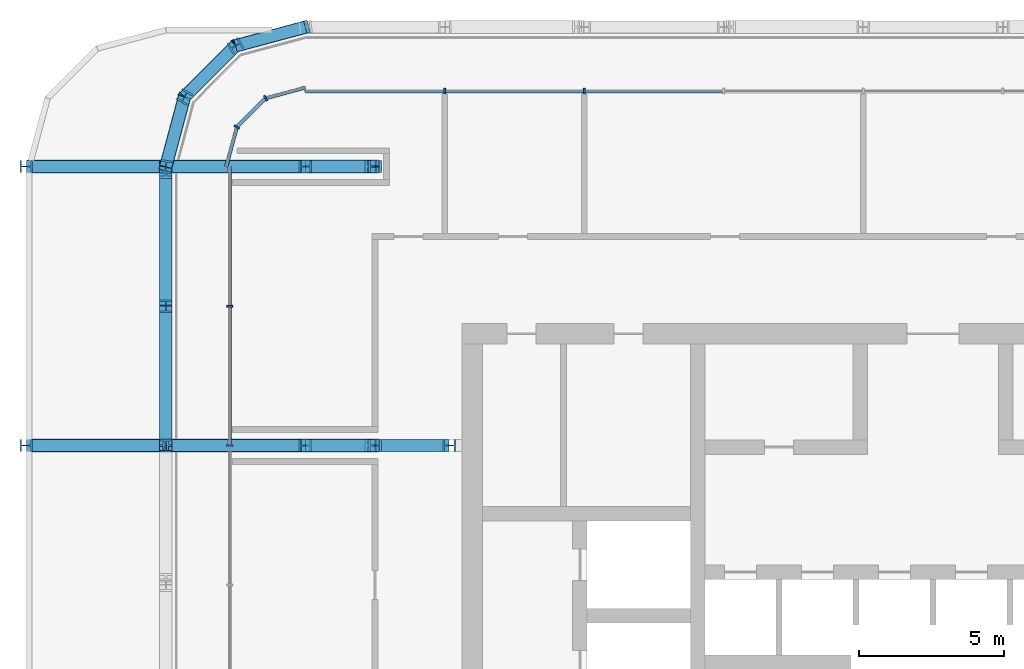
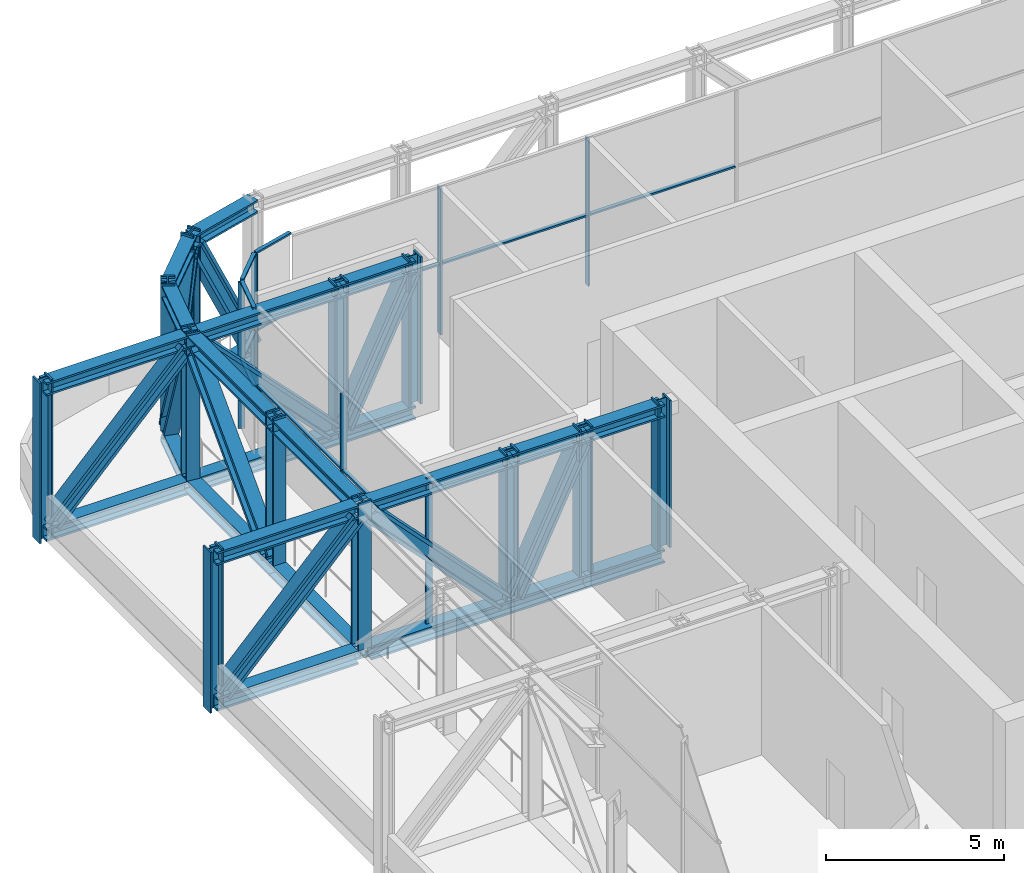
# One storey, part 12 of 30: 63 members, 3 elements without a shape of their own.
"""IFC4 building model written with IfcOpenShell, lengths in metres."""

import ifcopenshell
import ifcopenshell.guid

model = None  # the IFC model being written
_history = None  # IfcOwnerHistory: only IFC2X3 demands one
_inside = {}  # id of a spatial element -> (the spatial element, [elements in it])
_under = {}  # id of a project, library or spatial element -> (it, [spatial elements below it])
_declared = {}  # id of a project -> (the project, [libraries it declares])
_typed = {}  # id of a type object -> (the type object, [elements of that type])
_made_of = {}  # id of a material, layer set ... -> (it, [elements and type objects made of it])


def new_model(schema):
    """Start an empty IFC model of exactly this schema.

    Asked for "IFC4X3", IfcOpenShell would pick the latest addendum, in which some entities
    have other attributes; the version numbers below select the first issue.
    IFC2X3 requires an IfcOwnerHistory on every rooted entity: one is made here for all.
    """
    global model, _history
    if schema == "IFC4X3":
        model = ifcopenshell.file(schema_version=(4, 3, 0, 0))
    else:
        model = ifcopenshell.file(schema=schema)
    _inside.clear()
    _under.clear()
    _declared.clear()
    _typed.clear()
    _made_of.clear()
    _history = None
    if model.schema == "IFC2X3":
        org = make("IfcOrganization", Name="unknown")
        user = make(
            "IfcPersonAndOrganization",
            ThePerson=make("IfcPerson", FamilyName="unknown"),
            TheOrganization=org,
        )
        app = make(
            "IfcApplication",
            ApplicationDeveloper=org,
            Version="unknown",
            ApplicationFullName="unknown",
            ApplicationIdentifier="unknown",
        )
        _history = make(
            "IfcOwnerHistory",
            OwningUser=user,
            OwningApplication=app,
            ChangeAction="ADDED",
            CreationDate=0,
        )
    return model


def make(cls, **values):
    """One entity of the class cls with the attributes given. An attribute that is None is left unset."""
    return model.create_entity(
        cls, **{name: value for name, value in values.items() if value is not None}
    )


def rooted(cls, **values):
    """An entity with a GlobalId (a new one), such as an element, a storey or a relation."""
    return make(cls, GlobalId=ifcopenshell.guid.new(), OwnerHistory=_history, **values)


def si_unit(unit_type, name, prefix=None):
    """IfcSIUnit, for example si_unit("LENGTHUNIT", "METRE", prefix="MILLI")."""
    return make("IfcSIUnit", UnitType=unit_type, Prefix=prefix, Name=name)


def assignment(units):
    """IfcUnitAssignment: the units of a project."""
    return None if units is None else make("IfcUnitAssignment", Units=units)


def point(xyz):
    """IfcCartesianPoint."""
    return None if xyz is None else make("IfcCartesianPoint", Coordinates=xyz)


def direction(xyz):
    """IfcDirection."""
    return None if xyz is None else make("IfcDirection", DirectionRatios=xyz)


def frame(location, z_axis=None, x_axis=None):
    """IfcAxis2Placement3D, a coordinate frame: its origin and axes. An axis left out is left unset."""
    return make(
        "IfcAxis2Placement3D",
        Location=point(location),
        Axis=direction(z_axis),
        RefDirection=direction(x_axis),
    )


def frame_2d(location, x_axis=None):
    """IfcAxis2Placement2D, a coordinate frame in the plane: its origin and x axis."""
    return make(
        "IfcAxis2Placement2D", Location=point(location), RefDirection=direction(x_axis)
    )


def origin():
    """The frame at (0, 0, 0) with its axes left unset."""
    return frame((0.0, 0.0, 0.0))


def origin_2d():
    """The frame at (0, 0) in the plane with its x axis left unset."""
    return frame_2d((0.0, 0.0))


def place(relative_to, where):
    """IfcLocalPlacement: puts the frame where relative to a parent placement (None: the world)."""
    return make(
        "IfcLocalPlacement", PlacementRelTo=relative_to, RelativePlacement=where
    )


def context(
    kind, dimensions, precision=None, world=None, true_north=None, identifier=None
):
    """IfcGeometricRepresentationContext, for example the 3D "Model" context."""
    return make(
        "IfcGeometricRepresentationContext",
        ContextIdentifier=identifier,
        ContextType=kind,
        CoordinateSpaceDimension=dimensions,
        Precision=precision,
        WorldCoordinateSystem=world,
        TrueNorth=true_north,
    )


def subcontext(parent, identifier, kind, view, scale=None):
    """IfcGeometricRepresentationSubContext, for example "Body" below "Model"."""
    return make(
        "IfcGeometricRepresentationSubContext",
        ContextIdentifier=identifier,
        ContextType=kind,
        ParentContext=parent,
        TargetScale=scale,
        TargetView=view,
    )


def project(units=None, contexts=None):
    """IfcProject with its units and contexts."""
    return rooted(
        "IfcProject",
        Name="project",
        RepresentationContexts=contexts,
        UnitsInContext=assignment(units),
    )


def spatial(cls, under=None, at=None, **own):
    """A site, building, storey or space (cls), placed at a placement, below another one or the project."""
    s = rooted(cls, ObjectPlacement=at, **own)
    if under is not None:
        _under.setdefault(under.id(), (under, []))[1].append(s)
    return s


def profile(cls, at=None, kind="AREA", **sizes):
    """A parametric profile (cls). Its sizes go by their IFC names, for example OverallWidth=200.0."""
    return make(cls, ProfileType=kind, Position=at, **sizes)


def rectangle(**sizes):
    """IfcRectangleProfileDef."""
    return profile("IfcRectangleProfileDef", **sizes)


def i_section(**sizes):
    """IfcIShapeProfileDef."""
    return profile("IfcIShapeProfileDef", **sizes)


def extrude(swept, where, along, depth):
    """IfcExtrudedAreaSolid: the profile swept, set in the frame where, extruded along a direction by depth."""
    return make(
        "IfcExtrudedAreaSolid",
        SweptArea=swept,
        Position=where,
        ExtrudedDirection=direction(along),
        Depth=depth,
    )


def shape(context_of_items, identifier, shape_type, items):
    """IfcShapeRepresentation: the items that make up one representation, for example the "Body"."""
    return make(
        "IfcShapeRepresentation",
        ContextOfItems=context_of_items,
        RepresentationIdentifier=identifier,
        RepresentationType=shape_type,
        Items=items,
    )


def material(Name=None, Category=None):
    """IfcMaterial."""
    return make("IfcMaterial", Name=Name, Category=Category)


def layer(
    of_material, thickness, ventilated=None, Name=None, Category=None, Priority=None
):
    """IfcMaterialLayer: one layer of a wall or slab, of a material (None: an air gap)."""
    return make(
        "IfcMaterialLayer",
        Material=of_material,
        LayerThickness=thickness,
        IsVentilated=ventilated,
        Name=Name,
        Category=Category,
        Priority=Priority,
    )


def layer_set(layers, Name=None):
    """IfcMaterialLayerSet."""
    return make("IfcMaterialLayerSet", MaterialLayers=layers, LayerSetName=Name)


def material_profile(
    of_material, cross_section, Name=None, Category=None, Priority=None
):
    """IfcMaterialProfile: a cross section and its material."""
    return make(
        "IfcMaterialProfile",
        Name=Name,
        Material=of_material,
        Profile=cross_section,
        Priority=Priority,
        Category=Category,
    )


def profile_set(profiles, Name=None, composite=None):
    """IfcMaterialProfileSet."""
    return make(
        "IfcMaterialProfileSet",
        Name=Name,
        MaterialProfiles=profiles,
        CompositeProfile=composite,
    )


def made_of(thing, what):
    """Note that an element or type object is made of a material, layer set ...; save() writes the relation."""
    if what is not None:
        _made_of.setdefault(what.id(), (what, []))[1].append(thing)
    return thing


def type_object(cls, material=None, **own):
    """A type object (cls), such as IfcWallType, which elements share."""
    return made_of(rooted(cls, **own), material)


def element(
    cls,
    number,
    at=None,
    inside=None,
    cuts=None,
    type_object=None,
    material=None,
    context=None,
    identifier="Body",
    shape_type=None,
    held_by="IfcProductDefinitionShape",
    body=None,
    shapes=None,
    **own,
):
    """One element of the class cls, such as IfcWall. Its Tag is "e" and its number.

    at: its placement. inside: the storey or other place that contains it. cuts: it is an
    opening in that element (IfcRelVoidsElement). A single representation is given by context,
    identifier, shape_type and body (its items); several are given by shapes. held_by: the class
    of the entity that holds the representations. save() writes the other relations.
    """
    e = rooted(cls, Tag="e%d" % number, ObjectPlacement=at, **own)
    if body is not None:
        shapes = [shape(context, identifier, shape_type, body)]
    if shapes is not None:
        e.Representation = make(held_by, Representations=shapes)
    if inside is not None:
        _inside.setdefault(inside.id(), (inside, []))[1].append(e)
    if cuts is not None:
        rooted(
            "IfcRelVoidsElement", RelatingBuildingElement=cuts, RelatedOpeningElement=e
        )
    if type_object is not None:
        _typed.setdefault(type_object.id(), (type_object, []))[1].append(e)
    return made_of(e, material)


def aggregate(whole, parts):
    """IfcRelAggregates: a whole, such as a stair, and the parts it consists of."""
    return rooted("IfcRelAggregates", RelatingObject=whole, RelatedObjects=parts)


def save(model, path):
    """Write the relations noted so far, then the file.

    IfcRelAggregates (storeys below a building ...), IfcRelContainedInSpatialStructure (elements
    in a storey), IfcRelDefinesByType, IfcRelAssociatesMaterial and IfcRelDeclares: one each for
    every whole, place, type object, material and project.
    """
    for whole, parts in _under.values():
        aggregate(whole, parts)
    for where, things in _inside.values():
        rooted(
            "IfcRelContainedInSpatialStructure",
            RelatedElements=things,
            RelatingStructure=where,
        )
    for kind, things in _typed.values():
        rooted("IfcRelDefinesByType", RelatedObjects=things, RelatingType=kind)
    for what, things in _made_of.values():
        rooted("IfcRelAssociatesMaterial", RelatedObjects=things, RelatingMaterial=what)
    for by, libraries in _declared.values():
        rooted("IfcRelDeclares", RelatingContext=by, RelatedDefinitions=libraries)
    model.write(path)


model = new_model("IFC4")

# Units and contexts
model_context = context("Model", 3, precision=1e-05, world=origin(), true_north=direction((0.0, 1.0)))
body_context = subcontext(model_context, "Body", "Model", "MODEL_VIEW")
ifc_project = project(units=[si_unit("LENGTHUNIT", "METRE"), si_unit("AREAUNIT", "SQUARE_METRE"), si_unit("VOLUMEUNIT", "CUBIC_METRE"), si_unit("PLANEANGLEUNIT", "RADIAN"), si_unit("MASSUNIT", "GRAM", prefix="KILO")], contexts=[model_context])

# Site, building, storey
site_placement = place(None, origin())
site = spatial("IfcSite", under=ifc_project, at=site_placement, CompositionType="ELEMENT")
building_placement = place(site_placement, origin())
building = spatial("IfcBuilding", under=site, at=building_placement, Name="Madar Terraces", CompositionType="ELEMENT")
storey_placement = place(building_placement, frame((0.0, 0.0, 173.5)))
storey = spatial("IfcBuildingStorey", under=building, at=storey_placement, Name="L45", CompositionType="ELEMENT", Elevation=173.5)

# Members
ifc_material_1 = material(Name="Steel ASTM A913 Grade 65", Category="steel")
ifc_material_profile_1 = material_profile(ifc_material_1, i_section(OverallWidth=0.421630859375, OverallDepth=0.46484375, WebThickness=0.044921875, FlangeThickness=0.072509765625, at=origin_2d()), Name="W14x398")
ifc_profile_set_1 = profile_set([ifc_material_profile_1], Name="Steel ASTM A913 Grade 65")
member_type_1 = type_object("IfcMemberType", Name="BC6 W14x398", PredefinedType="CHORD", material=ifc_profile_set_1)
member_1_placement = place(storey_placement, frame((9.60009765625, 48.0, -0.1875), z_axis=(-0.965930947833, -0.258799930484, 0.0), x_axis=(0.258799930484, -0.965930947833, 0.0)))
element("IfcMember", 1, at=member_1_placement, inside=storey, type_object=member_type_1, Name="Exoskeleton truss ring bottom chord BC6", PredefinedType="CHORD", context=body_context, shape_type="SweptSolid", body=[
    extrude(i_section(OverallWidth=0.421630859375, OverallDepth=0.46484375, WebThickness=0.044921875, FlangeThickness=0.072509765625, at=origin_2d()), origin(), (0.0, 0.0, 1.0), 2.48486328125),
])
member_2_placement = place(storey_placement, frame((7.199951171875, 47.35693359375, -0.1875), z_axis=(-0.707106781187, -0.707106781187, 0.0), x_axis=(0.707106781187, -0.707106781187, 0.0)))
element("IfcMember", 2, at=member_2_placement, inside=storey, type_object=member_type_1, Name="Exoskeleton truss ring bottom chord BC6", PredefinedType="CHORD", context=body_context, shape_type="SweptSolid", body=[
    extrude(i_section(OverallWidth=0.421630859375, OverallDepth=0.46484375, WebThickness=0.044921875, FlangeThickness=0.072509765625, at=origin_2d()), origin(), (0.0, 0.0, 1.0), 2.484619140625),
])
member_3_placement = place(storey_placement, frame((5.443115234375, 45.60009765625, -0.1875), z_axis=(-0.258799930484, -0.965930947833, 0.0), x_axis=(0.965930947833, -0.258799930484, 0.0)))
element("IfcMember", 3, at=member_3_placement, inside=storey, type_object=member_type_1, Name="Exoskeleton truss ring bottom chord BC6", PredefinedType="CHORD", context=body_context, shape_type="SweptSolid", body=[
    extrude(i_section(OverallWidth=0.421630859375, OverallDepth=0.46484375, WebThickness=0.044921875, FlangeThickness=0.072509765625, at=origin_2d()), origin(), (0.0, 0.0, 1.0), 2.48486328125),
])
member_4_placement = place(storey_placement, frame((4.800048828125, 43.199951171875, -0.1875), z_axis=(0.0, -1.0, 0.0), x_axis=(1.0, 0.0, 0.0)))
element("IfcMember", 4, at=member_4_placement, inside=storey, type_object=member_type_1, Name="Exoskeleton truss ring bottom chord BC6", PredefinedType="CHORD", context=body_context, shape_type="SweptSolid", body=[
    extrude(i_section(OverallWidth=0.421630859375, OverallDepth=0.46484375, WebThickness=0.044921875, FlangeThickness=0.072509765625, at=origin_2d()), origin(), (0.0, 0.0, 1.0), 4.800048828125),
])
member_5_placement = place(storey_placement, frame((4.800048828125, 38.39990234375, -0.1875), z_axis=(0.0, -1.0, 0.0), x_axis=(1.0, 0.0, 0.0)))
element("IfcMember", 5, at=member_5_placement, inside=storey, type_object=member_type_1, Name="Exoskeleton truss ring bottom chord BC6", PredefinedType="CHORD", context=body_context, shape_type="SweptSolid", body=[
    extrude(i_section(OverallWidth=0.421630859375, OverallDepth=0.46484375, WebThickness=0.044921875, FlangeThickness=0.072509765625, at=origin_2d()), origin(), (0.0, 0.0, 1.0), 4.7998046875),
])
member_6_placement = place(storey_placement, frame((0.0, 33.60009765625, -0.1875), z_axis=(1.0, 0.0, 0.0), x_axis=(0.0, 1.0, 0.0)))
element("IfcMember", 6, at=member_6_placement, inside=storey, type_object=member_type_1, Name="Exoskeleton truss cross W33.6 bottom chord BC6", PredefinedType="CHORD", context=body_context, shape_type="SweptSolid", body=[
    extrude(i_section(OverallWidth=0.421630859375, OverallDepth=0.46484375, WebThickness=0.044921875, FlangeThickness=0.072509765625, at=origin_2d()), origin(), (0.0, 0.0, 1.0), 4.589111328125),
])
member_7_placement = place(storey_placement, frame((5.0107421875, 33.60009765625, -0.1875), z_axis=(1.0, 0.0, 0.0), x_axis=(0.0, 1.0, 0.0)))
element("IfcMember", 7, at=member_7_placement, inside=storey, type_object=member_type_1, Name="Exoskeleton truss cross W33.6 bottom chord BC6", PredefinedType="CHORD", context=body_context, shape_type="SweptSolid", body=[
    extrude(i_section(OverallWidth=0.421630859375, OverallDepth=0.46484375, WebThickness=0.044921875, FlangeThickness=0.072509765625, at=origin_2d()), origin(), (0.0, 0.0, 1.0), 4.58935546875),
])
member_8_placement = place(storey_placement, frame((9.60009765625, 33.60009765625, -0.1875), z_axis=(1.0, 0.0, 0.0), x_axis=(0.0, 1.0, 0.0)))
element("IfcMember", 8, at=member_8_placement, inside=storey, type_object=member_type_1, Name="Exoskeleton truss cross W33.6 bottom chord BC6", PredefinedType="CHORD", context=body_context, shape_type="SweptSolid", body=[
    extrude(i_section(OverallWidth=0.421630859375, OverallDepth=0.46484375, WebThickness=0.044921875, FlangeThickness=0.072509765625, at=origin_2d()), origin(), (0.0, 0.0, 1.0), 2.39990234375),
])
member_9_placement = place(storey_placement, frame((12.0, 33.60009765625, -0.1875), z_axis=(1.0, 0.0, 0.0), x_axis=(0.0, 1.0, 0.0)))
element("IfcMember", 9, at=member_9_placement, inside=storey, type_object=member_type_1, Name="Exoskeleton truss cross W33.6 bottom chord BC6", PredefinedType="CHORD", context=body_context, shape_type="SweptSolid", body=[
    extrude(i_section(OverallWidth=0.421630859375, OverallDepth=0.46484375, WebThickness=0.044921875, FlangeThickness=0.072509765625, at=origin_2d()), origin(), (0.0, 0.0, 1.0), 2.550048828125),
])
member_10_placement = place(storey_placement, frame((0.0, 43.199951171875, -0.1875), z_axis=(1.0, 0.0, 0.0), x_axis=(0.0, 1.0, 0.0)))
element("IfcMember", 10, at=member_10_placement, inside=storey, type_object=member_type_1, Name="Exoskeleton truss cross W43.2 bottom chord BC6", PredefinedType="CHORD", context=body_context, shape_type="SweptSolid", body=[
    extrude(i_section(OverallWidth=0.421630859375, OverallDepth=0.46484375, WebThickness=0.044921875, FlangeThickness=0.072509765625, at=origin_2d()), origin(), (0.0, 0.0, 1.0), 4.589111328125),
])
member_11_placement = place(storey_placement, frame((5.0107421875, 43.199951171875, -0.1875), z_axis=(1.0, 0.0, 0.0), x_axis=(0.0, 1.0, 0.0)))
element("IfcMember", 11, at=member_11_placement, inside=storey, type_object=member_type_1, Name="Exoskeleton truss cross W43.2 bottom chord BC6", PredefinedType="CHORD", context=body_context, shape_type="SweptSolid", body=[
    extrude(i_section(OverallWidth=0.421630859375, OverallDepth=0.46484375, WebThickness=0.044921875, FlangeThickness=0.072509765625, at=origin_2d()), origin(), (0.0, 0.0, 1.0), 4.58935546875),
])
member_12_placement = place(storey_placement, frame((9.60009765625, 43.199951171875, -0.1875), z_axis=(1.0, 0.0, 0.0), x_axis=(0.0, 1.0, 0.0)))
element("IfcMember", 12, at=member_12_placement, inside=storey, type_object=member_type_1, Name="Exoskeleton truss cross W43.2 bottom chord BC6", PredefinedType="CHORD", context=body_context, shape_type="SweptSolid", body=[
    extrude(i_section(OverallWidth=0.421630859375, OverallDepth=0.46484375, WebThickness=0.044921875, FlangeThickness=0.072509765625, at=origin_2d()), origin(), (0.0, 0.0, 1.0), 2.39990234375),
])

# Curtain wall, members
ifc_material_2 = material(Name="Glass, ceramic frit dark grey, with black aluminium frame", Category="aluminium")
ifc_layer = layer(ifc_material_2, 0.199951171875)
ifc_layer_set = layer_set([ifc_layer], Name="Facade curtain wall, tall glazing")
curtain_wall_type = type_object("IfcCurtainWallType", Name="Facade curtain wall, tall glazing", PredefinedType="NOTDEFINED", material=ifc_layer_set)
curtain_wall_1_placement = place(storey_placement, origin())
curtain_wall_1 = element("IfcCurtainWall", 13, at=curtain_wall_1_placement, inside=storey, type_object=curtain_wall_type, Name="Outer skin curtain wall north bay 1", PredefinedType="NOTDEFINED")
ifc_material_3 = material(Name="Aluminium, black anodised", Category="aluminium")
ifc_material_profile_2 = material_profile(ifc_material_3, rectangle(XDim=0.199951171875, YDim=0.06005859375, at=origin_2d()), Name="Facade mullion 60x200")
ifc_profile_set_2 = profile_set([ifc_material_profile_2], Name="Aluminium, black anodised")
member_type_2 = type_object("IfcMemberType", Name="Facade mullion 60x200", PredefinedType="MULLION", material=ifc_profile_set_2)
member_13_placement = place(storey_placement, frame((19.199951171875, 45.800048828125, 0.0), z_axis=(0.0, 0.0, 1.0), x_axis=(0.0, -1.0, 0.0)))
member_13 = element("IfcMember", 14, at=member_13_placement, type_object=member_type_2, Name="Mullion 8", PredefinedType="MULLION", context=body_context, shape_type="SweptSolid", body=[
    extrude(rectangle(XDim=0.199951171875, YDim=0.06005859375, at=origin_2d()), origin(), (0.0, 0.0, 1.0), 5.0400390625),
])
member_14_placement = place(storey_placement, frame((14.39990234375, 45.800048828125, 0.0), z_axis=(0.0, 0.0, 1.0), x_axis=(0.0, -1.0, 0.0)))
member_14 = element("IfcMember", 15, at=member_14_placement, type_object=member_type_2, Name="Mullion 9", PredefinedType="MULLION", context=body_context, shape_type="SweptSolid", body=[
    extrude(rectangle(XDim=0.199951171875, YDim=0.06005859375, at=origin_2d()), origin(), (0.0, 0.0, 1.0), 5.0400390625),
])

curtain_wall_2_placement = place(storey_placement, origin())
curtain_wall_2 = element("IfcCurtainWall", 16, at=curtain_wall_2_placement, inside=storey, type_object=curtain_wall_type, Name="Outer skin curtain wall west bay 1", PredefinedType="NOTDEFINED")
member_15_placement = place(storey_placement, frame((7.0, 38.39990234375, 0.0), z_axis=(0.0, 0.0, 1.0), x_axis=(1.0, 0.0, 0.0)))
member_15 = element("IfcMember", 17, at=member_15_placement, type_object=member_type_2, Name="Mullion 1", PredefinedType="MULLION", context=body_context, shape_type="SweptSolid", body=[
    extrude(rectangle(XDim=0.199951171875, YDim=0.06005859375, at=origin_2d()), origin(), (0.0, 0.0, 1.0), 5.0400390625),
])
member_16_placement = place(storey_placement, frame((7.0, 33.60009765625, 0.0), z_axis=(0.0, 0.0, 1.0), x_axis=(1.0, 0.0, 0.0)))
member_16 = element("IfcMember", 18, at=member_16_placement, type_object=member_type_2, Name="Mullion 2", PredefinedType="MULLION", context=body_context, shape_type="SweptSolid", body=[
    extrude(rectangle(XDim=0.199951171875, YDim=0.06005859375, at=origin_2d()), origin(), (0.0, 0.0, 1.0), 5.0400390625),
])

curtain_wall_3_placement = place(storey_placement, origin())
curtain_wall_3 = element("IfcCurtainWall", 19, at=curtain_wall_3_placement, inside=storey, type_object=curtain_wall_type, Name="Outer skin curtain wall north-west corner", PredefinedType="NOTDEFINED")
member_17_placement = place(storey_placement, frame((8.239990234375, 45.5556640625, 0.0), z_axis=(0.0, 0.0, 1.0), x_axis=(0.500000029202, -0.866025386925, 0.0)))
member_17 = element("IfcMember", 20, at=member_17_placement, type_object=member_type_2, Name="Mullion 1", PredefinedType="MULLION", context=body_context, shape_type="SweptSolid", body=[
    extrude(rectangle(XDim=0.199951171875, YDim=0.06005859375, at=origin_2d()), origin(), (0.0, 0.0, 1.0), 5.0400390625),
])
member_18_placement = place(storey_placement, frame((7.244384765625, 44.56005859375, 0.0), z_axis=(0.0, 0.0, 1.0), x_axis=(0.866025386925, -0.500000029202, 0.0)))
member_18 = element("IfcMember", 21, at=member_18_placement, type_object=member_type_2, Name="Mullion 2", PredefinedType="MULLION", context=body_context, shape_type="SweptSolid", body=[
    extrude(rectangle(XDim=0.199951171875, YDim=0.06005859375, at=origin_2d()), origin(), (0.0, 0.0, 1.0), 5.0400390625),
])

# Member
ifc_material_4 = material(Name="Aluminium, black anodised", Category="aluminium")
ifc_material_profile_3 = material_profile(ifc_material_4, rectangle(XDim=0.1201171875, YDim=0.06005859375, at=origin_2d()), Name="Facade transom 60x120")
ifc_profile_set_3 = profile_set([ifc_material_profile_3], Name="Aluminium, black anodised")
member_type_3 = type_object("IfcMemberType", Name="Facade transom 60x120", PredefinedType="USERDEFINED", material=ifc_profile_set_3)
member_19_placement = place(storey_placement, frame((23.969970703125, 45.800048828125, 2.39990234375), z_axis=(-1.0, 0.0, 0.0), x_axis=(0.0, -1.0, 0.0)))
member_19 = element("IfcMember", 22, at=member_19_placement, type_object=member_type_3, Name="Transom 9", ObjectType="TRANSOM", PredefinedType="USERDEFINED", context=body_context, shape_type="SweptSolid", body=[
    extrude(rectangle(XDim=0.1201171875, YDim=0.06005859375, at=origin_2d()), origin(), (0.0, 0.0, 1.0), 4.739990234375),
])

member_20_placement = place(storey_placement, frame((19.169921875, 45.800048828125, 2.39990234375), z_axis=(-1.0, 0.0, 0.0), x_axis=(0.0, -1.0, 0.0)))
member_20 = element("IfcMember", 23, at=member_20_placement, type_object=member_type_3, Name="Transom 10", ObjectType="TRANSOM", PredefinedType="USERDEFINED", context=body_context, shape_type="SweptSolid", body=[
    extrude(rectangle(XDim=0.1201171875, YDim=0.06005859375, at=origin_2d()), origin(), (0.0, 0.0, 1.0), 4.739990234375),
])

member_21_placement = place(storey_placement, frame((14.3701171875, 45.800048828125, 2.39990234375), z_axis=(-1.0, 0.0, 0.0), x_axis=(0.0, -1.0, 0.0)))
member_21 = element("IfcMember", 24, at=member_21_placement, type_object=member_type_3, Name="Transom 11", ObjectType="TRANSOM", PredefinedType="USERDEFINED", context=body_context, shape_type="SweptSolid", body=[
    extrude(rectangle(XDim=0.1201171875, YDim=0.06005859375, at=origin_2d()), origin(), (0.0, 0.0, 1.0), 4.77001953125),
])

aggregate(curtain_wall_1, [member_13, member_14, member_19, member_20, member_21])

member_22_placement = place(storey_placement, frame((7.0, 43.199951171875, 2.39990234375), z_axis=(0.0, -1.0, 0.0), x_axis=(1.0, 0.0, 0.0)))
member_22 = element("IfcMember", 25, at=member_22_placement, type_object=member_type_3, Name="Transom 2", ObjectType="TRANSOM", PredefinedType="USERDEFINED", context=body_context, shape_type="SweptSolid", body=[
    extrude(rectangle(XDim=0.1201171875, YDim=0.06005859375, at=origin_2d()), origin(), (0.0, 0.0, 1.0), 4.77001953125),
])

member_23_placement = place(storey_placement, frame((7.0, 38.3701171875, 2.39990234375), z_axis=(0.0, -1.0, 0.0), x_axis=(1.0, 0.0, 0.0)))
member_23 = element("IfcMember", 26, at=member_23_placement, type_object=member_type_3, Name="Transom 3", ObjectType="TRANSOM", PredefinedType="USERDEFINED", context=body_context, shape_type="SweptSolid", body=[
    extrude(rectangle(XDim=0.1201171875, YDim=0.06005859375, at=origin_2d()), origin(), (0.0, 0.0, 1.0), 4.740234375),
])

aggregate(curtain_wall_2, [member_15, member_16, member_22, member_23])

member_24_placement = place(storey_placement, frame((9.60009765625, 45.919921875, 5.070068359375), z_axis=(-0.965919580711, -0.258842352791, 0.0), x_axis=(0.258842352791, -0.965919580711, 0.0)))
member_24 = element("IfcMember", 27, at=member_24_placement, type_object=member_type_3, Name="Transom 1", ObjectType="TRANSOM", PredefinedType="USERDEFINED", context=body_context, shape_type="SweptSolid", body=[
    extrude(rectangle(XDim=0.1201171875, YDim=0.06005859375, at=origin_2d()), origin(), (0.0, 0.0, 1.0), 1.3779296875),
])

member_25_placement = place(storey_placement, frame((9.60009765625, 45.919921875, 2.39990234375), z_axis=(-0.965919580711, -0.258842352791, 0.0), x_axis=(0.258842352791, -0.965919580711, 0.0)))
member_25 = element("IfcMember", 28, at=member_25_placement, type_object=member_type_3, Name="Transom 2", ObjectType="TRANSOM", PredefinedType="USERDEFINED", context=body_context, shape_type="SweptSolid", body=[
    extrude(rectangle(XDim=0.1201171875, YDim=0.06005859375, at=origin_2d()), origin(), (0.0, 0.0, 1.0), 1.3779296875),
])

member_26_placement = place(storey_placement, frame((8.21875, 45.534423828125, 5.070068359375), z_axis=(-0.707106781187, -0.707106781187, 0.0), x_axis=(0.707106781187, -0.707106781187, 0.0)))
member_26 = element("IfcMember", 29, at=member_26_placement, type_object=member_type_3, Name="Transom 3", ObjectType="TRANSOM", PredefinedType="USERDEFINED", context=body_context, shape_type="SweptSolid", body=[
    extrude(rectangle(XDim=0.1201171875, YDim=0.06005859375, at=origin_2d()), origin(), (0.0, 0.0, 1.0), 1.347900390625),
])

member_27_placement = place(storey_placement, frame((8.21875, 45.534423828125, 2.39990234375), z_axis=(-0.707106781187, -0.707106781187, 0.0), x_axis=(0.707106781187, -0.707106781187, 0.0)))
member_27 = element("IfcMember", 30, at=member_27_placement, type_object=member_type_3, Name="Transom 4", ObjectType="TRANSOM", PredefinedType="USERDEFINED", context=body_context, shape_type="SweptSolid", body=[
    extrude(rectangle(XDim=0.1201171875, YDim=0.06005859375, at=origin_2d()), origin(), (0.0, 0.0, 1.0), 1.347900390625),
])

member_28_placement = place(storey_placement, frame((7.236572265625, 44.531005859375, 5.070068359375), z_axis=(-0.258842352791, -0.965919580711, 0.0), x_axis=(0.965919580711, -0.258842352791, 0.0)))
member_28 = element("IfcMember", 31, at=member_28_placement, type_object=member_type_3, Name="Transom 5", ObjectType="TRANSOM", PredefinedType="USERDEFINED", context=body_context, shape_type="SweptSolid", body=[
    extrude(rectangle(XDim=0.1201171875, YDim=0.06005859375, at=origin_2d()), origin(), (0.0, 0.0, 1.0), 1.3779296875),
])

member_29_placement = place(storey_placement, frame((7.236572265625, 44.531005859375, 2.39990234375), z_axis=(-0.258842352791, -0.965919580711, 0.0), x_axis=(0.965919580711, -0.258842352791, 0.0)))
member_29 = element("IfcMember", 32, at=member_29_placement, type_object=member_type_3, Name="Transom 6", ObjectType="TRANSOM", PredefinedType="USERDEFINED", context=body_context, shape_type="SweptSolid", body=[
    extrude(rectangle(XDim=0.1201171875, YDim=0.06005859375, at=origin_2d()), origin(), (0.0, 0.0, 1.0), 1.3779296875),
])

aggregate(curtain_wall_3, [member_17, member_24, member_25, member_18, member_26, member_27, member_28, member_29])

# Members
ifc_material_5 = material(Name="Steel ASTM A913 Grade 65", Category="steel")
ifc_material_profile_4 = material_profile(ifc_material_5, i_section(OverallWidth=0.41650390625, OverallDepth=0.444580078125, WebThickness=0.0390625, FlangeThickness=0.062744140625, at=origin_2d()), Name="W14x342")
ifc_profile_set_4 = profile_set([ifc_material_profile_4], Name="Steel ASTM A913 Grade 65")
member_type_4 = type_object("IfcMemberType", Name="TC6 W14x342", PredefinedType="CHORD", material=ifc_profile_set_4)
member_30_placement = place(storey_placement, frame((9.60009765625, 48.0, 4.807861328125), z_axis=(-0.965930947833, -0.258799930484, 0.0), x_axis=(0.258799930484, -0.965930947833, 0.0)))
element("IfcMember", 33, at=member_30_placement, inside=storey, type_object=member_type_4, Name="Exoskeleton truss ring top chord TC6", PredefinedType="CHORD", context=body_context, shape_type="SweptSolid", body=[
    extrude(i_section(OverallWidth=0.41650390625, OverallDepth=0.444580078125, WebThickness=0.0390625, FlangeThickness=0.062744140625, at=origin_2d()), origin(), (0.0, 0.0, 1.0), 2.48486328125),
])
member_31_placement = place(storey_placement, frame((7.199951171875, 47.35693359375, 4.807861328125), z_axis=(-0.707106781187, -0.707106781187, 0.0), x_axis=(0.707106781187, -0.707106781187, 0.0)))
element("IfcMember", 34, at=member_31_placement, inside=storey, type_object=member_type_4, Name="Exoskeleton truss ring top chord TC6", PredefinedType="CHORD", context=body_context, shape_type="SweptSolid", body=[
    extrude(i_section(OverallWidth=0.41650390625, OverallDepth=0.444580078125, WebThickness=0.0390625, FlangeThickness=0.062744140625, at=origin_2d()), origin(), (0.0, 0.0, 1.0), 2.484619140625),
])
member_32_placement = place(storey_placement, frame((5.443115234375, 45.60009765625, 4.807861328125), z_axis=(-0.258799930484, -0.965930947833, 0.0), x_axis=(0.965930947833, -0.258799930484, 0.0)))
element("IfcMember", 35, at=member_32_placement, inside=storey, type_object=member_type_4, Name="Exoskeleton truss ring top chord TC6", PredefinedType="CHORD", context=body_context, shape_type="SweptSolid", body=[
    extrude(i_section(OverallWidth=0.41650390625, OverallDepth=0.444580078125, WebThickness=0.0390625, FlangeThickness=0.062744140625, at=origin_2d()), origin(), (0.0, 0.0, 1.0), 2.48486328125),
])
member_33_placement = place(storey_placement, frame((4.800048828125, 43.199951171875, 4.807861328125), z_axis=(0.0, -1.0, 0.0), x_axis=(1.0, 0.0, 0.0)))
element("IfcMember", 36, at=member_33_placement, inside=storey, type_object=member_type_4, Name="Exoskeleton truss ring top chord TC6", PredefinedType="CHORD", context=body_context, shape_type="SweptSolid", body=[
    extrude(i_section(OverallWidth=0.41650390625, OverallDepth=0.444580078125, WebThickness=0.0390625, FlangeThickness=0.062744140625, at=origin_2d()), origin(), (0.0, 0.0, 1.0), 4.800048828125),
])
member_34_placement = place(storey_placement, frame((4.800048828125, 38.39990234375, 4.807861328125), z_axis=(0.0, -1.0, 0.0), x_axis=(1.0, 0.0, 0.0)))
element("IfcMember", 37, at=member_34_placement, inside=storey, type_object=member_type_4, Name="Exoskeleton truss ring top chord TC6", PredefinedType="CHORD", context=body_context, shape_type="SweptSolid", body=[
    extrude(i_section(OverallWidth=0.41650390625, OverallDepth=0.444580078125, WebThickness=0.0390625, FlangeThickness=0.062744140625, at=origin_2d()), origin(), (0.0, 0.0, 1.0), 4.7998046875),
])
for number, where, z_axis, x_axis, name in (
    (38, (0.0, 33.60009765625, 4.807861328125), (1.0, 0.0, 0.0), (0.0, 1.0, 0.0), "Exoskeleton truss cross W33.6 top chord TC6"),
    (39, (5.00830078125, 33.60009765625, 4.807861328125), (1.0, 0.0, 0.0), (0.0, 1.0, 0.0), "Exoskeleton truss cross W33.6 top chord TC6"),
):
    element("IfcMember", number, at=place(storey_placement, frame(where, z_axis=z_axis, x_axis=x_axis)), inside=storey, type_object=member_type_4, Name=name, PredefinedType="CHORD", context=body_context, shape_type="SweptSolid", body=[
        extrude(i_section(OverallWidth=0.41650390625, OverallDepth=0.444580078125, WebThickness=0.0390625, FlangeThickness=0.062744140625, at=origin_2d()), origin(), (0.0, 0.0, 1.0), 4.591796875),
    ])
member_35_placement = place(storey_placement, frame((9.60009765625, 33.60009765625, 4.807861328125), z_axis=(1.0, 0.0, 0.0), x_axis=(0.0, 1.0, 0.0)))
element("IfcMember", 40, at=member_35_placement, inside=storey, type_object=member_type_4, Name="Exoskeleton truss cross W33.6 top chord TC6", PredefinedType="CHORD", context=body_context, shape_type="SweptSolid", body=[
    extrude(i_section(OverallWidth=0.41650390625, OverallDepth=0.444580078125, WebThickness=0.0390625, FlangeThickness=0.062744140625, at=origin_2d()), origin(), (0.0, 0.0, 1.0), 2.39990234375),
])
member_36_placement = place(storey_placement, frame((12.0, 33.60009765625, 4.807861328125), z_axis=(1.0, 0.0, 0.0), x_axis=(0.0, 1.0, 0.0)))
element("IfcMember", 41, at=member_36_placement, inside=storey, type_object=member_type_4, Name="Exoskeleton truss cross W33.6 top chord TC6", PredefinedType="CHORD", context=body_context, shape_type="SweptSolid", body=[
    extrude(i_section(OverallWidth=0.41650390625, OverallDepth=0.444580078125, WebThickness=0.0390625, FlangeThickness=0.062744140625, at=origin_2d()), origin(), (0.0, 0.0, 1.0), 2.550048828125),
])
for number, where, z_axis, x_axis, name in (
    (42, (0.0, 43.199951171875, 4.807861328125), (1.0, 0.0, 0.0), (0.0, 1.0, 0.0), "Exoskeleton truss cross W43.2 top chord TC6"),
    (43, (5.00830078125, 43.199951171875, 4.807861328125), (1.0, 0.0, 0.0), (0.0, 1.0, 0.0), "Exoskeleton truss cross W43.2 top chord TC6"),
):
    element("IfcMember", number, at=place(storey_placement, frame(where, z_axis=z_axis, x_axis=x_axis)), inside=storey, type_object=member_type_4, Name=name, PredefinedType="CHORD", context=body_context, shape_type="SweptSolid", body=[
        extrude(i_section(OverallWidth=0.41650390625, OverallDepth=0.444580078125, WebThickness=0.0390625, FlangeThickness=0.062744140625, at=origin_2d()), origin(), (0.0, 0.0, 1.0), 4.591796875),
    ])
member_37_placement = place(storey_placement, frame((9.60009765625, 43.199951171875, 4.807861328125), z_axis=(1.0, 0.0, 0.0), x_axis=(0.0, 1.0, 0.0)))
element("IfcMember", 44, at=member_37_placement, inside=storey, type_object=member_type_4, Name="Exoskeleton truss cross W43.2 top chord TC6", PredefinedType="CHORD", context=body_context, shape_type="SweptSolid", body=[
    extrude(i_section(OverallWidth=0.41650390625, OverallDepth=0.444580078125, WebThickness=0.0390625, FlangeThickness=0.062744140625, at=origin_2d()), origin(), (0.0, 0.0, 1.0), 2.39990234375),
])
ifc_material_6 = material(Name="Steel ASTM A913 Grade 65", Category="steel")
ifc_material_profile_5 = material_profile(ifc_material_6, i_section(OverallWidth=0.44189453125, OverallDepth=0.53076171875, WebThickness=0.06591796875, FlangeThickness=0.105712890625, at=origin_2d()), Name="W14x605")
ifc_profile_set_5 = profile_set([ifc_material_profile_5], Name="Steel ASTM A913 Grade 65")
member_type_5 = type_object("IfcMemberType", Name="TD6 W14x605", PredefinedType="BRACE", material=ifc_profile_set_5)
member_38_placement = place(storey_placement, frame((9.48828125, 47.969970703125, 0.044921875), z_axis=(-0.4301587725, -0.115254628021, 0.895365735977), x_axis=(0.258806332687, -0.965929232481, 0.0)))
element("IfcMember", 45, at=member_38_placement, inside=storey, type_object=member_type_5, Name="Exoskeleton truss ring diagonal TD6", PredefinedType="BRACE", context=body_context, shape_type="SweptSolid", body=[
    extrude(i_section(OverallWidth=0.44189453125, OverallDepth=0.53076171875, WebThickness=0.06591796875, FlangeThickness=0.105712890625, at=origin_2d()), origin(), (0.0, 0.0, 1.0), 5.071044921875),
])
member_39_placement = place(storey_placement, frame((7.121826171875, 47.27880859375, 4.58544921875), z_axis=(-0.314897946587, -0.314946088759, -0.895348113535), x_axis=(0.707160826876, -0.707052731366, 0.0)))
element("IfcMember", 46, at=member_39_placement, inside=storey, type_object=member_type_5, Name="Exoskeleton truss ring diagonal TD6", PredefinedType="BRACE", context=body_context, shape_type="SweptSolid", body=[
    extrude(i_section(OverallWidth=0.44189453125, OverallDepth=0.53076171875, WebThickness=0.06591796875, FlangeThickness=0.105712890625, at=origin_2d()), origin(), (0.0, 0.0, 1.0), 5.0712890625),
])
member_40_placement = place(storey_placement, frame((5.4130859375, 45.48828125, 0.044921875), z_axis=(-0.115254628021, -0.4301587725, 0.895365735977), x_axis=(0.965929232481, -0.258806332687, 0.0)))
element("IfcMember", 47, at=member_40_placement, inside=storey, type_object=member_type_5, Name="Exoskeleton truss ring diagonal TD6", PredefinedType="BRACE", context=body_context, shape_type="SweptSolid", body=[
    extrude(i_section(OverallWidth=0.44189453125, OverallDepth=0.53076171875, WebThickness=0.06591796875, FlangeThickness=0.105712890625, at=origin_2d()), origin(), (0.0, 0.0, 1.0), 5.071044921875),
])
for number, where, z_axis, x_axis, name in (
    (48, (4.800048828125, 42.986328125, 4.58544921875), (0.0, -0.692873133915, -0.721059512314), (1.0, 0.0, 0.0), "Exoskeleton truss ring diagonal TD6"),
    (49, (0.223388671875, 33.60009765625, 0.044921875), (0.692873133915, 0.0, 0.721059512314), (0.0, 1.0, 0.0), "Exoskeleton truss cross W33.6 diagonal TD6"),
    (50, (5.013671875, 33.60009765625, 4.58544921875), (0.692873133915, 0.0, -0.721059512314), (0.0, 1.0, 0.0), "Exoskeleton truss cross W33.6 diagonal TD6"),
):
    element("IfcMember", number, at=place(storey_placement, frame(where, z_axis=z_axis, x_axis=x_axis)), inside=storey, type_object=member_type_5, Name=name, PredefinedType="BRACE", context=body_context, shape_type="SweptSolid", body=[
        extrude(i_section(OverallWidth=0.44189453125, OverallDepth=0.53076171875, WebThickness=0.06591796875, FlangeThickness=0.105712890625, at=origin_2d()), origin(), (0.0, 0.0, 1.0), 6.297119140625),
    ])
member_41_placement = place(storey_placement, frame((9.711669921875, 33.60009765625, 0.044921875), z_axis=(0.433083966096, 0.0, 0.901353581183), x_axis=(0.0, 1.0, 0.0)))
element("IfcMember", 51, at=member_41_placement, inside=storey, type_object=member_type_5, Name="Exoskeleton truss cross W33.6 diagonal TD6", PredefinedType="BRACE", context=body_context, shape_type="SweptSolid", body=[
    extrude(i_section(OverallWidth=0.44189453125, OverallDepth=0.53076171875, WebThickness=0.06591796875, FlangeThickness=0.105712890625, at=origin_2d()), origin(), (0.0, 0.0, 1.0), 5.037353515625),
])
for number, where, z_axis, x_axis, name in (
    (52, (0.223388671875, 43.199951171875, 0.044921875), (0.692873133915, 0.0, 0.721059512314), (0.0, 1.0, 0.0), "Exoskeleton truss cross W43.2 diagonal TD6"),
    (53, (5.013671875, 43.199951171875, 4.58544921875), (0.692873133915, 0.0, -0.721059512314), (0.0, 1.0, 0.0), "Exoskeleton truss cross W43.2 diagonal TD6"),
):
    element("IfcMember", number, at=place(storey_placement, frame(where, z_axis=z_axis, x_axis=x_axis)), inside=storey, type_object=member_type_5, Name=name, PredefinedType="BRACE", context=body_context, shape_type="SweptSolid", body=[
        extrude(i_section(OverallWidth=0.44189453125, OverallDepth=0.53076171875, WebThickness=0.06591796875, FlangeThickness=0.105712890625, at=origin_2d()), origin(), (0.0, 0.0, 1.0), 6.297119140625),
    ])
member_42_placement = place(storey_placement, frame((9.711669921875, 43.199951171875, 0.044921875), z_axis=(0.433083966096, 0.0, 0.901353581183), x_axis=(0.0, 1.0, 0.0)))
element("IfcMember", 54, at=member_42_placement, inside=storey, type_object=member_type_5, Name="Exoskeleton truss cross W43.2 diagonal TD6", PredefinedType="BRACE", context=body_context, shape_type="SweptSolid", body=[
    extrude(i_section(OverallWidth=0.44189453125, OverallDepth=0.53076171875, WebThickness=0.06591796875, FlangeThickness=0.105712890625, at=origin_2d()), origin(), (0.0, 0.0, 1.0), 5.037353515625),
])
ifc_material_7 = material(Name="Steel ASTM A913 Grade 65", Category="steel")
ifc_material_profile_6 = material_profile(ifc_material_7, i_section(OverallWidth=0.411376953125, OverallDepth=0.434326171875, WebThickness=0.035888671875, FlangeThickness=0.057373046875, at=origin_2d()), Name="W14x311")
ifc_profile_set_6 = profile_set([ifc_material_profile_6], Name="Steel ASTM A913 Grade 65")
member_type_6 = type_object("IfcMemberType", Name="TV6 W14x311", PredefinedType="POST", material=ifc_profile_set_6)
for number, where, z_axis, x_axis, name in (
    (55, (7.199951171875, 47.35693359375, 0.044921875), (0.0, 0.0, 1.0), (0.499999984885, -0.866025412511, 0.0), "Exoskeleton truss ring post TV6"),
    (56, (5.443115234375, 45.60009765625, 0.044921875), (0.0, 0.0, 1.0), (0.866025412511, -0.499999984885, 0.0), "Exoskeleton truss ring post TV6"),
    (57, (4.800048828125, 43.199951171875, 0.044921875), (0.0, 0.0, 1.0), (0.991444863652, -0.130526174916, 0.0), "Exoskeleton truss ring post TV6"),
    (58, (4.800048828125, 38.39990234375, 0.044921875), (0.0, 0.0, 1.0), (1.0, 0.0, 0.0), "Exoskeleton truss ring post TV6"),
    (59, (4.800048828125, 33.60009765625, 0.044921875), (0.0, 0.0, 1.0), (1.0, 0.0, 0.0), "Exoskeleton truss ring post TV6"),
):
    element("IfcMember", number, at=place(storey_placement, frame(where, z_axis=z_axis, x_axis=x_axis)), inside=storey, type_object=member_type_6, Name=name, PredefinedType="POST", context=body_context, shape_type="SweptSolid", body=[
        extrude(i_section(OverallWidth=0.411376953125, OverallDepth=0.434326171875, WebThickness=0.035888671875, FlangeThickness=0.057373046875, at=origin_2d()), origin(), (0.0, 0.0, 1.0), 5.05517578125),
    ])
member_43_placement = place(storey_placement, frame((0.0, 33.60009765625, -0.419921875), z_axis=(0.0, 0.0, 1.0), x_axis=(0.0, 1.0, 0.0)))
element("IfcMember", 60, at=member_43_placement, inside=storey, type_object=member_type_6, Name="Exoskeleton truss cross W33.6 post TV6", PredefinedType="POST", context=body_context, shape_type="SweptSolid", body=[
    extrude(i_section(OverallWidth=0.411376953125, OverallDepth=0.434326171875, WebThickness=0.035888671875, FlangeThickness=0.057373046875, at=origin_2d()), origin(), (0.0, 0.0, 1.0), 5.52001953125),
])
for number, where, z_axis, x_axis, name in (
    (61, (9.60009765625, 33.60009765625, 0.044921875), (0.0, 0.0, 1.0), (0.0, 1.0, 0.0), "Exoskeleton truss cross W33.6 post TV6"),
    (62, (12.0, 33.60009765625, 0.044921875), (0.0, 0.0, 1.0), (0.0, 1.0, 0.0), "Exoskeleton truss cross W33.6 post TV6"),
    (63, (14.550048828125, 33.60009765625, 0.044921875), (0.0, 0.0, 1.0), (0.0, 1.0, 0.0), "Exoskeleton truss cross W33.6 post TV6"),
):
    element("IfcMember", number, at=place(storey_placement, frame(where, z_axis=z_axis, x_axis=x_axis)), inside=storey, type_object=member_type_6, Name=name, PredefinedType="POST", context=body_context, shape_type="SweptSolid", body=[
        extrude(i_section(OverallWidth=0.411376953125, OverallDepth=0.434326171875, WebThickness=0.035888671875, FlangeThickness=0.057373046875, at=origin_2d()), origin(), (0.0, 0.0, 1.0), 5.05517578125),
    ])
member_44_placement = place(storey_placement, frame((0.0, 43.199951171875, -0.419921875), z_axis=(0.0, 0.0, 1.0), x_axis=(0.0, 1.0, 0.0)))
element("IfcMember", 64, at=member_44_placement, inside=storey, type_object=member_type_6, Name="Exoskeleton truss cross W43.2 post TV6", PredefinedType="POST", context=body_context, shape_type="SweptSolid", body=[
    extrude(i_section(OverallWidth=0.411376953125, OverallDepth=0.434326171875, WebThickness=0.035888671875, FlangeThickness=0.057373046875, at=origin_2d()), origin(), (0.0, 0.0, 1.0), 5.52001953125),
])
for number, where, z_axis, x_axis, name in (
    (65, (9.60009765625, 43.199951171875, 0.044921875), (0.0, 0.0, 1.0), (0.0, 1.0, 0.0), "Exoskeleton truss cross W43.2 post TV6"),
    (66, (12.0, 43.199951171875, 0.044921875), (0.0, 0.0, 1.0), (0.0, 1.0, 0.0), "Exoskeleton truss cross W43.2 post TV6"),
):
    element("IfcMember", number, at=place(storey_placement, frame(where, z_axis=z_axis, x_axis=x_axis)), inside=storey, type_object=member_type_6, Name=name, PredefinedType="POST", context=body_context, shape_type="SweptSolid", body=[
        extrude(i_section(OverallWidth=0.411376953125, OverallDepth=0.434326171875, WebThickness=0.035888671875, FlangeThickness=0.057373046875, at=origin_2d()), origin(), (0.0, 0.0, 1.0), 5.05517578125),
    ])

save(model, "model.ifc")
